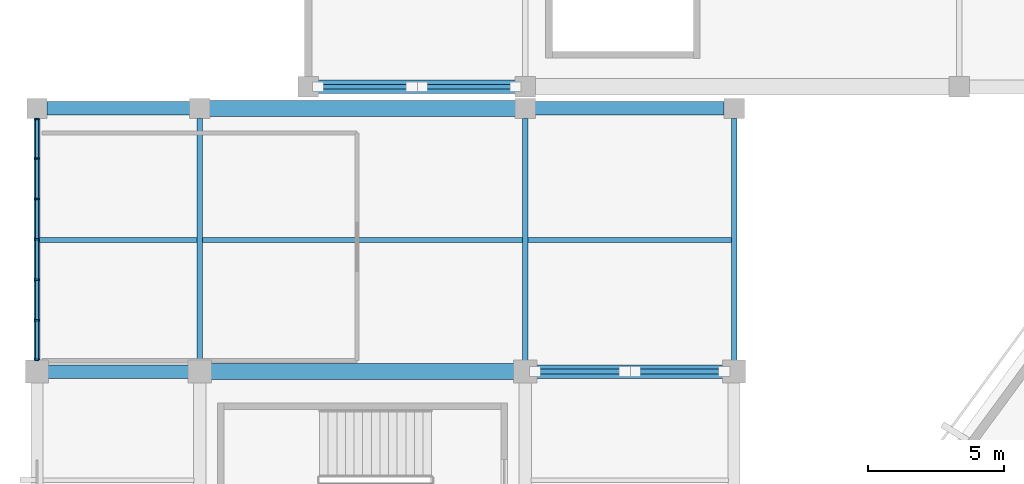
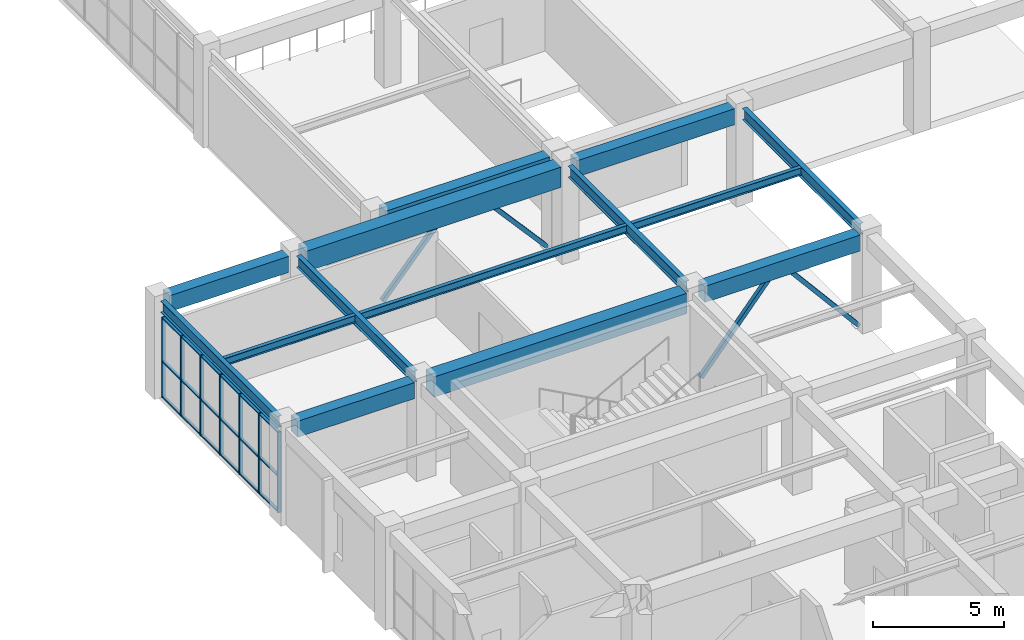
# One storey, part 40 of 112: 29 members, 14 beams, 1 element without a shape of its own.
"""IFC4 building model written with IfcOpenShell, lengths in metres."""

from ifc_helpers import new_model, si_unit, direction, frame, origin, origin_2d, place, context, subcontext, project, spatial, rectangle, hollow_rectangle, i_section, extrude, material, material_profile, profile_set, type_object, element, aggregate, save


model = new_model("IFC4")

# Units and contexts
model_context = context("Model", 3, precision=1e-05, world=origin(), true_north=direction((0.0, 1.0)))
body_context = subcontext(model_context, "Body", "Model", "MODEL_VIEW")
ifc_project = project(units=[si_unit("LENGTHUNIT", "METRE"), si_unit("AREAUNIT", "SQUARE_METRE"), si_unit("VOLUMEUNIT", "CUBIC_METRE"), si_unit("PLANEANGLEUNIT", "RADIAN"), si_unit("MASSUNIT", "GRAM", prefix="KILO")], contexts=[model_context])

# Site, building, storey
site_placement = place(None, origin())
site = spatial("IfcSite", under=ifc_project, at=site_placement, CompositionType="ELEMENT")
building_placement = place(site_placement, origin())
building = spatial("IfcBuilding", under=site, at=building_placement, Name="Cuetzalor Civic Arena", CompositionType="ELEMENT")
storey_placement = place(building_placement, frame((0.0, 0.0, 11.39990234375)))
storey = spatial("IfcBuildingStorey", under=building, at=storey_placement, Name="L02", CompositionType="ELEMENT", Elevation=11.39990234375)

# Beams
ifc_material_1 = material(Name="Concrete C40/50", Category="concrete")
ifc_material_profile_1 = material_profile(ifc_material_1, rectangle(XDim=0.5, YDim=0.75, at=origin_2d()), Name="RC 500x750")
ifc_profile_set_1 = profile_set([ifc_material_profile_1], Name="Concrete C40/50")
beam_type_1 = type_object("IfcBeamType", Name="ConcreteFrameBeam_500x750", PredefinedType="BEAM", material=ifc_profile_set_1)
beam_1_placement = place(storey_placement, frame((-81.5849609375, 25.0, 4.14501953125), z_axis=(1.0, 0.0, 0.0), x_axis=(0.0, 1.0, 0.0)))
element("IfcBeam", 1, at=beam_1_placement, inside=storey, type_object=beam_type_1, Name="Frame Girder V4W-L02-X0652", PredefinedType="BEAM", context=body_context, shape_type="SweptSolid", body=[
    extrude(rectangle(XDim=0.5, YDim=0.75, at=origin_2d()), origin(), (0.0, 0.0, 1.0), 5.169921875),
])
beam_2_placement = place(storey_placement, frame((-63.5849609375, 25.0, 4.14501953125), z_axis=(1.0, 0.0, 0.0), x_axis=(0.0, 1.0, 0.0)))
element("IfcBeam", 2, at=beam_2_placement, inside=storey, type_object=beam_type_1, Name="Frame Girder V4W-L02-X0654", PredefinedType="BEAM", context=body_context, shape_type="SweptSolid", body=[
    extrude(rectangle(XDim=0.5, YDim=0.75, at=origin_2d()), origin(), (0.0, 0.0, 1.0), 6.869873046875),
])
beam_3_placement = place(storey_placement, frame((-81.635009765625, 34.699951171875, 4.14501953125), z_axis=(1.0, 0.0, 0.0), x_axis=(0.0, 1.0, 0.0)))
element("IfcBeam", 3, at=beam_3_placement, inside=storey, type_object=beam_type_1, Name="Frame Girder V4W-L02-X0655", PredefinedType="BEAM", context=body_context, shape_type="SweptSolid", body=[
    extrude(rectangle(XDim=0.5, YDim=0.75, at=origin_2d()), origin(), (0.0, 0.0, 1.0), 5.27001953125),
])
beam_4_placement = place(storey_placement, frame((-63.635009765625, 34.699951171875, 4.14501953125), z_axis=(1.0, 0.0, 0.0), x_axis=(0.0, 1.0, 0.0)))
element("IfcBeam", 4, at=beam_4_placement, inside=storey, type_object=beam_type_1, Name="Frame Girder V4W-L02-X0657", PredefinedType="BEAM", context=body_context, shape_type="SweptSolid", body=[
    extrude(rectangle(XDim=0.5, YDim=0.75, at=origin_2d()), origin(), (0.0, 0.0, 1.0), 6.969970703125),
])
beam_5_placement = place(storey_placement, frame((-71.635009765625, 35.5, 4.10498046875), z_axis=(1.0, 0.0, 0.0), x_axis=(0.0, 1.0, 0.0)))
element("IfcBeam", 5, at=beam_5_placement, inside=storey, type_object=beam_type_1, Name="Frame Girder V5-L02-X0778", PredefinedType="BEAM", context=body_context, shape_type="SweptSolid", body=[
    extrude(rectangle(XDim=0.5, YDim=0.75, at=origin_2d()), origin(), (0.0, 0.0, 1.0), 7.27001953125),
])
ifc_material_2 = material(Name="Concrete C40/50", Category="concrete")
ifc_material_profile_2 = material_profile(ifc_material_2, rectangle(XDim=0.60009765625, YDim=0.949951171875, at=origin_2d()), Name="RC 600x950")
ifc_profile_set_2 = profile_set([ifc_material_profile_2], Name="Concrete C40/50")
beam_type_2 = type_object("IfcBeamType", Name="ConcreteFrameBeam_600x950", PredefinedType="BEAM", material=ifc_profile_set_2)
beam_6_placement = place(storey_placement, frame((-75.5849609375, 25.0, 4.045166015625), z_axis=(1.0, 0.0, 0.0), x_axis=(0.0, 1.0, 0.0)))
element("IfcBeam", 6, at=beam_6_placement, inside=storey, type_object=beam_type_2, Name="Frame Girder V4W-L02-X0653", PredefinedType="BEAM", context=body_context, shape_type="SweptSolid", body=[
    extrude(rectangle(XDim=0.60009765625, YDim=0.949951171875, at=origin_2d()), origin(), (0.0, 0.0, 1.0), 11.169921875),
])
beam_7_placement = place(storey_placement, frame((-75.635009765625, 34.699951171875, 4.045166015625), z_axis=(1.0, 0.0, 0.0), x_axis=(0.0, 1.0, 0.0)))
element("IfcBeam", 7, at=beam_7_placement, inside=storey, type_object=beam_type_2, Name="Frame Girder V4W-L02-X0656", PredefinedType="BEAM", context=body_context, shape_type="SweptSolid", body=[
    extrude(rectangle(XDim=0.60009765625, YDim=0.949951171875, at=origin_2d()), origin(), (0.0, 0.0, 1.0), 11.27001953125),
])

# Curtain wall, members
ifc_material_3 = material(Name="Anodised dark bronze aluminium and low-E solar glass", Category="aluminium")
curtain_wall_type = type_object("IfcCurtainWallType", Name="UnitisedCW_8950x3750", PredefinedType="USERDEFINED", material=ifc_material_3)
curtain_wall_placement = place(storey_placement, origin())
curtain_wall = element("IfcCurtainWall", 8, at=curtain_wall_placement, inside=storey, type_object=curtain_wall_type, Name="V4W Suite Viewing Curtain Wall L02-117", ObjectType="UNITISED CURTAIN WALL", PredefinedType="USERDEFINED")
ifc_material_4 = material(Name="Anodised dark bronze aluminium", Category="aluminium")
ifc_material_profile_3 = material_profile(ifc_material_4, rectangle(XDim=0.06494140625, YDim=0.14990234375, at=origin_2d()), Name="ALU MULLION 65x150")
ifc_profile_set_3 = profile_set([ifc_material_profile_3], Name="Anodised dark bronze aluminium")
member_type_1 = type_object("IfcMemberType", Name="CurtainWallMullion_60x150", PredefinedType="MULLION", material=ifc_profile_set_3)
member_1_placement = place(storey_placement, frame((-82.0, 25.439453125, 0.0), z_axis=(0.0, 0.0, 1.0), x_axis=(0.0, 1.0, 0.0)))
member_1 = element("IfcMember", 9, at=member_1_placement, type_object=member_type_1, Name="CW-43 mullion 1", PredefinedType="MULLION", context=body_context, shape_type="SweptSolid", body=[
    extrude(rectangle(XDim=0.06494140625, YDim=0.14990234375, at=origin_2d()), origin(), (0.0, 0.0, 1.0), 3.760009765625),
])
member_2_placement = place(storey_placement, frame((-82.0, 26.896240234375, 0.0), z_axis=(0.0, 0.0, 1.0), x_axis=(0.0, 1.0, 0.0)))
member_2 = element("IfcMember", 10, at=member_2_placement, type_object=member_type_1, Name="CW-43 mullion 2", PredefinedType="MULLION", context=body_context, shape_type="SweptSolid", body=[
    extrude(rectangle(XDim=0.06494140625, YDim=0.14990234375, at=origin_2d()), origin(), (0.0, 0.0, 1.0), 3.760009765625),
])
member_3_placement = place(storey_placement, frame((-82.0, 28.3857421875, 0.0), z_axis=(0.0, 0.0, 1.0), x_axis=(0.0, 1.0, 0.0)))
member_3 = element("IfcMember", 11, at=member_3_placement, type_object=member_type_1, Name="CW-43 mullion 3", PredefinedType="MULLION", context=body_context, shape_type="SweptSolid", body=[
    extrude(rectangle(XDim=0.06494140625, YDim=0.14990234375, at=origin_2d()), origin(), (0.0, 0.0, 1.0), 3.760009765625),
])
member_4_placement = place(storey_placement, frame((-82.0, 29.875, 0.0), z_axis=(0.0, 0.0, 1.0), x_axis=(0.0, 1.0, 0.0)))
member_4 = element("IfcMember", 12, at=member_4_placement, type_object=member_type_1, Name="CW-43 mullion 4", PredefinedType="MULLION", context=body_context, shape_type="SweptSolid", body=[
    extrude(rectangle(XDim=0.06494140625, YDim=0.14990234375, at=origin_2d()), origin(), (0.0, 0.0, 1.0), 3.760009765625),
])
member_5_placement = place(storey_placement, frame((-82.0, 31.3642578125, 0.0), z_axis=(0.0, 0.0, 1.0), x_axis=(0.0, 1.0, 0.0)))
member_5 = element("IfcMember", 13, at=member_5_placement, type_object=member_type_1, Name="CW-43 mullion 5", PredefinedType="MULLION", context=body_context, shape_type="SweptSolid", body=[
    extrude(rectangle(XDim=0.06494140625, YDim=0.14990234375, at=origin_2d()), origin(), (0.0, 0.0, 1.0), 3.760009765625),
])
member_6_placement = place(storey_placement, frame((-82.0, 32.853759765625, 0.0), z_axis=(0.0, 0.0, 1.0), x_axis=(0.0, 1.0, 0.0)))
member_6 = element("IfcMember", 14, at=member_6_placement, type_object=member_type_1, Name="CW-43 mullion 6", PredefinedType="MULLION", context=body_context, shape_type="SweptSolid", body=[
    extrude(rectangle(XDim=0.06494140625, YDim=0.14990234375, at=origin_2d()), origin(), (0.0, 0.0, 1.0), 3.760009765625),
])
member_7_placement = place(storey_placement, frame((-82.0, 34.310546875, 0.0), z_axis=(0.0, 0.0, 1.0), x_axis=(0.0, 1.0, 0.0)))
member_7 = element("IfcMember", 15, at=member_7_placement, type_object=member_type_1, Name="CW-43 mullion 7", PredefinedType="MULLION", context=body_context, shape_type="SweptSolid", body=[
    extrude(rectangle(XDim=0.06494140625, YDim=0.14990234375, at=origin_2d()), origin(), (0.0, 0.0, 1.0), 3.760009765625),
])
ifc_material_5 = material(Name="Anodised dark bronze aluminium", Category="aluminium")
ifc_material_profile_4 = material_profile(ifc_material_5, rectangle(XDim=0.1201171875, YDim=0.06494140625, at=origin_2d()), Name="ALU TRANSOM 65x120")
ifc_profile_set_4 = profile_set([ifc_material_profile_4], Name="Anodised dark bronze aluminium")
member_type_2 = type_object("IfcMemberType", Name="CurtainWallTransom_60x120", PredefinedType="USERDEFINED", material=ifc_profile_set_4)
member_8_placement = place(storey_placement, frame((-82.0, 25.471923828125, 0.03271484375), z_axis=(0.0, 1.0, 0.0), x_axis=(-1.0, 0.0, 0.0)))
member_8 = element("IfcMember", 16, at=member_8_placement, type_object=member_type_2, Name="CW-43 transom 1.1", ObjectType="TRANSOM", PredefinedType="USERDEFINED", context=body_context, shape_type="SweptSolid", body=[
    extrude(rectangle(XDim=0.1201171875, YDim=0.06494140625, at=origin_2d()), origin(), (0.0, 0.0, 1.0), 1.391845703125),
])
member_9_placement = place(storey_placement, frame((-82.0, 25.471923828125, 1.692138671875), z_axis=(0.0, 1.0, 0.0), x_axis=(-1.0, 0.0, 0.0)))
member_9 = element("IfcMember", 17, at=member_9_placement, type_object=member_type_2, Name="CW-43 transom 1.2", ObjectType="TRANSOM", PredefinedType="USERDEFINED", context=body_context, shape_type="SweptSolid", body=[
    extrude(rectangle(XDim=0.1201171875, YDim=0.06494140625, at=origin_2d()), origin(), (0.0, 0.0, 1.0), 1.391845703125),
])
member_10_placement = place(storey_placement, frame((-82.0, 25.471923828125, 3.7275390625), z_axis=(0.0, 1.0, 0.0), x_axis=(-1.0, 0.0, 0.0)))
member_10 = element("IfcMember", 18, at=member_10_placement, type_object=member_type_2, Name="CW-43 transom 1.3", ObjectType="TRANSOM", PredefinedType="USERDEFINED", context=body_context, shape_type="SweptSolid", body=[
    extrude(rectangle(XDim=0.1201171875, YDim=0.06494140625, at=origin_2d()), origin(), (0.0, 0.0, 1.0), 1.391845703125),
])
member_11_placement = place(storey_placement, frame((-82.0, 26.928955078125, 0.03271484375), z_axis=(0.0, 1.0, 0.0), x_axis=(-1.0, 0.0, 0.0)))
member_11 = element("IfcMember", 19, at=member_11_placement, type_object=member_type_2, Name="CW-43 transom 2.1", ObjectType="TRANSOM", PredefinedType="USERDEFINED", context=body_context, shape_type="SweptSolid", body=[
    extrude(rectangle(XDim=0.1201171875, YDim=0.06494140625, at=origin_2d()), origin(), (0.0, 0.0, 1.0), 1.42431640625),
])
member_12_placement = place(storey_placement, frame((-82.0, 26.928955078125, 1.692138671875), z_axis=(0.0, 1.0, 0.0), x_axis=(-1.0, 0.0, 0.0)))
member_12 = element("IfcMember", 20, at=member_12_placement, type_object=member_type_2, Name="CW-43 transom 2.2", ObjectType="TRANSOM", PredefinedType="USERDEFINED", context=body_context, shape_type="SweptSolid", body=[
    extrude(rectangle(XDim=0.1201171875, YDim=0.06494140625, at=origin_2d()), origin(), (0.0, 0.0, 1.0), 1.42431640625),
])
member_13_placement = place(storey_placement, frame((-82.0, 26.928955078125, 3.7275390625), z_axis=(0.0, 1.0, 0.0), x_axis=(-1.0, 0.0, 0.0)))
member_13 = element("IfcMember", 21, at=member_13_placement, type_object=member_type_2, Name="CW-43 transom 2.3", ObjectType="TRANSOM", PredefinedType="USERDEFINED", context=body_context, shape_type="SweptSolid", body=[
    extrude(rectangle(XDim=0.1201171875, YDim=0.06494140625, at=origin_2d()), origin(), (0.0, 0.0, 1.0), 1.42431640625),
])
member_14_placement = place(storey_placement, frame((-82.0, 28.418212890625, 0.03271484375), z_axis=(0.0, 1.0, 0.0), x_axis=(-1.0, 0.0, 0.0)))
member_14 = element("IfcMember", 22, at=member_14_placement, type_object=member_type_2, Name="CW-43 transom 3.1", ObjectType="TRANSOM", PredefinedType="USERDEFINED", context=body_context, shape_type="SweptSolid", body=[
    extrude(rectangle(XDim=0.1201171875, YDim=0.06494140625, at=origin_2d()), origin(), (0.0, 0.0, 1.0), 1.42431640625),
])
member_15_placement = place(storey_placement, frame((-82.0, 28.418212890625, 1.692138671875), z_axis=(0.0, 1.0, 0.0), x_axis=(-1.0, 0.0, 0.0)))
member_15 = element("IfcMember", 23, at=member_15_placement, type_object=member_type_2, Name="CW-43 transom 3.2", ObjectType="TRANSOM", PredefinedType="USERDEFINED", context=body_context, shape_type="SweptSolid", body=[
    extrude(rectangle(XDim=0.1201171875, YDim=0.06494140625, at=origin_2d()), origin(), (0.0, 0.0, 1.0), 1.42431640625),
])
member_16_placement = place(storey_placement, frame((-82.0, 28.418212890625, 3.7275390625), z_axis=(0.0, 1.0, 0.0), x_axis=(-1.0, 0.0, 0.0)))
member_16 = element("IfcMember", 24, at=member_16_placement, type_object=member_type_2, Name="CW-43 transom 3.3", ObjectType="TRANSOM", PredefinedType="USERDEFINED", context=body_context, shape_type="SweptSolid", body=[
    extrude(rectangle(XDim=0.1201171875, YDim=0.06494140625, at=origin_2d()), origin(), (0.0, 0.0, 1.0), 1.42431640625),
])
member_17_placement = place(storey_placement, frame((-82.0, 29.907470703125, 0.03271484375), z_axis=(0.0, 1.0, 0.0), x_axis=(-1.0, 0.0, 0.0)))
member_17 = element("IfcMember", 25, at=member_17_placement, type_object=member_type_2, Name="CW-43 transom 4.1", ObjectType="TRANSOM", PredefinedType="USERDEFINED", context=body_context, shape_type="SweptSolid", body=[
    extrude(rectangle(XDim=0.1201171875, YDim=0.06494140625, at=origin_2d()), origin(), (0.0, 0.0, 1.0), 1.42431640625),
])
member_18_placement = place(storey_placement, frame((-82.0, 29.907470703125, 1.692138671875), z_axis=(0.0, 1.0, 0.0), x_axis=(-1.0, 0.0, 0.0)))
member_18 = element("IfcMember", 26, at=member_18_placement, type_object=member_type_2, Name="CW-43 transom 4.2", ObjectType="TRANSOM", PredefinedType="USERDEFINED", context=body_context, shape_type="SweptSolid", body=[
    extrude(rectangle(XDim=0.1201171875, YDim=0.06494140625, at=origin_2d()), origin(), (0.0, 0.0, 1.0), 1.42431640625),
])
member_19_placement = place(storey_placement, frame((-82.0, 29.907470703125, 3.7275390625), z_axis=(0.0, 1.0, 0.0), x_axis=(-1.0, 0.0, 0.0)))
member_19 = element("IfcMember", 27, at=member_19_placement, type_object=member_type_2, Name="CW-43 transom 4.3", ObjectType="TRANSOM", PredefinedType="USERDEFINED", context=body_context, shape_type="SweptSolid", body=[
    extrude(rectangle(XDim=0.1201171875, YDim=0.06494140625, at=origin_2d()), origin(), (0.0, 0.0, 1.0), 1.42431640625),
])
member_20_placement = place(storey_placement, frame((-82.0, 31.396728515625, 0.03271484375), z_axis=(0.0, 1.0, 0.0), x_axis=(-1.0, 0.0, 0.0)))
member_20 = element("IfcMember", 28, at=member_20_placement, type_object=member_type_2, Name="CW-43 transom 5.1", ObjectType="TRANSOM", PredefinedType="USERDEFINED", context=body_context, shape_type="SweptSolid", body=[
    extrude(rectangle(XDim=0.1201171875, YDim=0.06494140625, at=origin_2d()), origin(), (0.0, 0.0, 1.0), 1.42431640625),
])
member_21_placement = place(storey_placement, frame((-82.0, 31.396728515625, 1.692138671875), z_axis=(0.0, 1.0, 0.0), x_axis=(-1.0, 0.0, 0.0)))
member_21 = element("IfcMember", 29, at=member_21_placement, type_object=member_type_2, Name="CW-43 transom 5.2", ObjectType="TRANSOM", PredefinedType="USERDEFINED", context=body_context, shape_type="SweptSolid", body=[
    extrude(rectangle(XDim=0.1201171875, YDim=0.06494140625, at=origin_2d()), origin(), (0.0, 0.0, 1.0), 1.42431640625),
])
member_22_placement = place(storey_placement, frame((-82.0, 31.396728515625, 3.7275390625), z_axis=(0.0, 1.0, 0.0), x_axis=(-1.0, 0.0, 0.0)))
member_22 = element("IfcMember", 30, at=member_22_placement, type_object=member_type_2, Name="CW-43 transom 5.3", ObjectType="TRANSOM", PredefinedType="USERDEFINED", context=body_context, shape_type="SweptSolid", body=[
    extrude(rectangle(XDim=0.1201171875, YDim=0.06494140625, at=origin_2d()), origin(), (0.0, 0.0, 1.0), 1.42431640625),
])
member_23_placement = place(storey_placement, frame((-82.0, 32.88623046875, 0.03271484375), z_axis=(0.0, 1.0, 0.0), x_axis=(-1.0, 0.0, 0.0)))
member_23 = element("IfcMember", 31, at=member_23_placement, type_object=member_type_2, Name="CW-43 transom 6.1", ObjectType="TRANSOM", PredefinedType="USERDEFINED", context=body_context, shape_type="SweptSolid", body=[
    extrude(rectangle(XDim=0.1201171875, YDim=0.06494140625, at=origin_2d()), origin(), (0.0, 0.0, 1.0), 1.391845703125),
])
member_24_placement = place(storey_placement, frame((-82.0, 32.88623046875, 1.692138671875), z_axis=(0.0, 1.0, 0.0), x_axis=(-1.0, 0.0, 0.0)))
member_24 = element("IfcMember", 32, at=member_24_placement, type_object=member_type_2, Name="CW-43 transom 6.2", ObjectType="TRANSOM", PredefinedType="USERDEFINED", context=body_context, shape_type="SweptSolid", body=[
    extrude(rectangle(XDim=0.1201171875, YDim=0.06494140625, at=origin_2d()), origin(), (0.0, 0.0, 1.0), 1.391845703125),
])
member_25_placement = place(storey_placement, frame((-82.0, 32.88623046875, 3.7275390625), z_axis=(0.0, 1.0, 0.0), x_axis=(-1.0, 0.0, 0.0)))
member_25 = element("IfcMember", 33, at=member_25_placement, type_object=member_type_2, Name="CW-43 transom 6.3", ObjectType="TRANSOM", PredefinedType="USERDEFINED", context=body_context, shape_type="SweptSolid", body=[
    extrude(rectangle(XDim=0.1201171875, YDim=0.06494140625, at=origin_2d()), origin(), (0.0, 0.0, 1.0), 1.391845703125),
])
aggregate(curtain_wall, [member_1, member_2, member_3, member_4, member_5, member_6, member_7, member_8, member_9, member_10, member_11, member_12, member_13, member_14, member_15, member_16, member_17, member_18, member_19, member_20, member_21, member_22, member_23, member_24, member_25])

# Members
ifc_material_6 = material(Name="Steel S355", Category="steel")
ifc_material_profile_5 = material_profile(ifc_material_6, hollow_rectangle(XDim=0.179931640625, YDim=0.179931640625, WallThickness=0.010009765625, at=origin_2d()), Name="RHS 180x180x10")
ifc_profile_set_5 = profile_set([ifc_material_profile_5], Name="Steel S355")
member_type_3 = type_object("IfcMemberType", Name="LateralFrameBrace_RHS180", PredefinedType="BRACE", material=ifc_profile_set_5)
for number, where, z_axis, x_axis, name in (
    (34, (-71.639892578125, 35.5, 0.150146484375), (0.660802361604, 0.0, 0.750559950236), (0.0, 1.0, 0.0), "Lateral Chevron Brace V5-L02-005"),
    (35, (-64.360107421875, 35.5, 0.150146484375), (-0.660802361604, 0.0, 0.750559950236), (0.0, -1.0, 0.0), "Lateral Chevron Brace V5-L02-006"),
):
    element("IfcMember", number, at=place(storey_placement, frame(where, z_axis=z_axis, x_axis=x_axis)), inside=storey, type_object=member_type_3, Name=name, PredefinedType="BRACE", context=body_context, shape_type="SweptSolid", body=[
        extrude(hollow_rectangle(XDim=0.179931640625, YDim=0.179931640625, WallThickness=0.010009765625, at=origin_2d()), origin(), (0.0, 0.0, 1.0), 5.236083984375),
    ])
member_26_placement = place(storey_placement, frame((-63.639892578125, 25.0, 0.150146484375), z_axis=(0.644181104804, 0.0, 0.764872998748), x_axis=(0.0, 1.0, 0.0)))
element("IfcMember", 36, at=member_26_placement, inside=storey, type_object=member_type_3, Name="Lateral Chevron Brace V4W-L02-017", PredefinedType="BRACE", context=body_context, shape_type="SweptSolid", body=[
    extrude(hollow_rectangle(XDim=0.179931640625, YDim=0.179931640625, WallThickness=0.010009765625, at=origin_2d()), origin(), (0.0, 0.0, 1.0), 5.137939453125),
])
member_27_placement = place(storey_placement, frame((-56.659912109375, 25.0, 0.150146484375), z_axis=(-0.644208902135, 0.0, 0.764849586788), x_axis=(0.0, -1.0, 0.0)))
element("IfcMember", 37, at=member_27_placement, inside=storey, type_object=member_type_3, Name="Lateral Chevron Brace V4W-L02-018", PredefinedType="BRACE", context=body_context, shape_type="SweptSolid", body=[
    extrude(hollow_rectangle(XDim=0.179931640625, YDim=0.179931640625, WallThickness=0.010009765625, at=origin_2d()), origin(), (0.0, 0.0, 1.0), 5.13818359375),
])

# Beams
ifc_material_7 = material(Name="Steel S355", Category="steel")
ifc_material_profile_6 = material_profile(ifc_material_7, i_section(OverallWidth=0.1708984375, OverallDepth=0.35498046875, WebThickness=0.007080078125, FlangeThickness=0.01171875, at=origin_2d()), Name="W360x51")
ifc_profile_set_6 = profile_set([ifc_material_profile_6], Name="Steel S355")
beam_type_3 = type_object("IfcBeamType", Name="SecondaryFloorJoist_W360", PredefinedType="JOIST", material=ifc_profile_set_6)
beam_8_placement = place(storey_placement, frame((-81.903564453125, 29.85009765625, 4.342529296875), z_axis=(1.0, 0.0, 0.0), x_axis=(0.0, 1.0, 0.0)))
element("IfcBeam", 38, at=beam_8_placement, inside=storey, type_object=beam_type_3, Name="Secondary Floor Joist V4W-L02-0198", PredefinedType="JOIST", context=body_context, shape_type="SweptSolid", body=[
    extrude(i_section(OverallWidth=0.1708984375, OverallDepth=0.35498046875, WebThickness=0.007080078125, FlangeThickness=0.01171875, at=origin_2d()), origin(), (0.0, 0.0, 1.0), 5.80712890625),
])
beam_9_placement = place(storey_placement, frame((-75.903564453125, 29.85009765625, 4.342529296875), z_axis=(1.0, 0.0, 0.0), x_axis=(0.0, 1.0, 0.0)))
element("IfcBeam", 39, at=beam_9_placement, inside=storey, type_object=beam_type_3, Name="Secondary Floor Joist V4W-L02-0205", PredefinedType="JOIST", context=body_context, shape_type="SweptSolid", body=[
    extrude(i_section(OverallWidth=0.1708984375, OverallDepth=0.35498046875, WebThickness=0.007080078125, FlangeThickness=0.01171875, at=origin_2d()), origin(), (0.0, 0.0, 1.0), 11.80712890625),
])
beam_10_placement = place(storey_placement, frame((-63.903564453125, 29.85009765625, 4.342529296875), z_axis=(1.0, 0.0, 0.0), x_axis=(0.0, 1.0, 0.0)))
element("IfcBeam", 40, at=beam_10_placement, inside=storey, type_object=beam_type_3, Name="Secondary Floor Joist V4W-L02-0214", PredefinedType="JOIST", context=body_context, shape_type="SweptSolid", body=[
    extrude(i_section(OverallWidth=0.1708984375, OverallDepth=0.35498046875, WebThickness=0.007080078125, FlangeThickness=0.01171875, at=origin_2d()), origin(), (0.0, 0.0, 1.0), 7.507080078125),
])
ifc_material_8 = material(Name="Steel S355", Category="steel")
ifc_material_profile_7 = material_profile(ifc_material_8, i_section(OverallWidth=0.208984375, OverallDepth=0.532958984375, WebThickness=0.01025390625, FlangeThickness=0.015625, at=origin_2d()), Name="W530x92")
ifc_profile_set_7 = profile_set([ifc_material_profile_7], Name="Steel S355")
beam_type_4 = type_object("IfcBeamType", Name="SteelCollarGirder_W530", PredefinedType="BEAM", material=ifc_profile_set_7)
for number, where, z_axis, x_axis, name in (
    (41, (-82.0, 25.4150390625, 4.253662109375), (0.0, 1.0, 0.0), (-1.0, 0.0, 0.0), "Frame Girder V4W-L02-Y0667"),
    (42, (-76.0, 25.4150390625, 4.253662109375), (0.0, 1.0, 0.0), (-1.0, 0.0, 0.0), "Frame Girder V4W-L02-Y0677"),
    (43, (-64.0, 25.4150390625, 4.253662109375), (0.0, 1.0, 0.0), (-1.0, 0.0, 0.0), "Frame Girder V4W-L02-Y0687"),
    (44, (-56.300048828125, 25.4150390625, 4.253662109375), (0.0, 1.0, 0.0), (-1.0, 0.0, 0.0), "Frame Girder V4W-L02-Y0697"),
):
    element("IfcBeam", number, at=place(storey_placement, frame(where, z_axis=z_axis, x_axis=x_axis)), inside=storey, type_object=beam_type_4, Name=name, PredefinedType="BEAM", context=body_context, shape_type="SweptSolid", body=[
        extrude(i_section(OverallWidth=0.208984375, OverallDepth=0.532958984375, WebThickness=0.01025390625, FlangeThickness=0.015625, at=origin_2d()), origin(), (0.0, 0.0, 1.0), 8.919921875),
    ])

save(model, "model.ifc")
